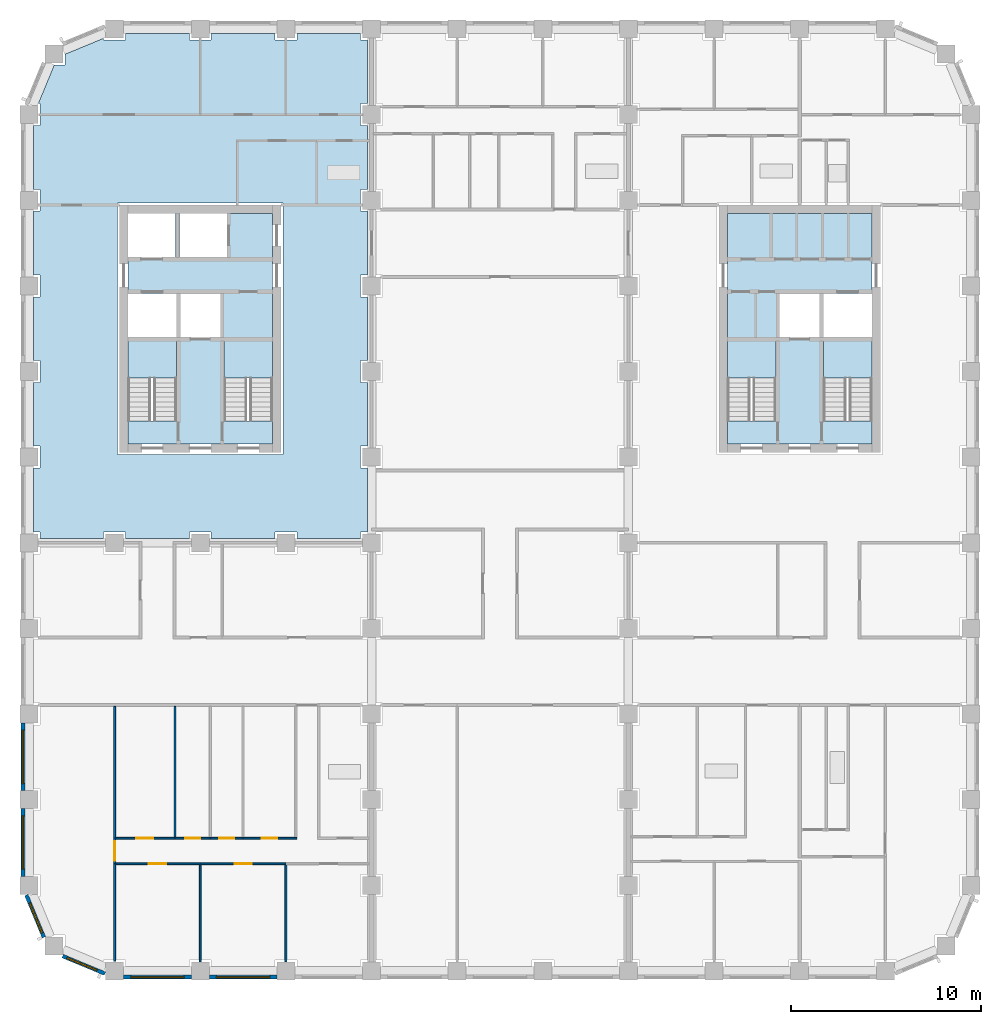
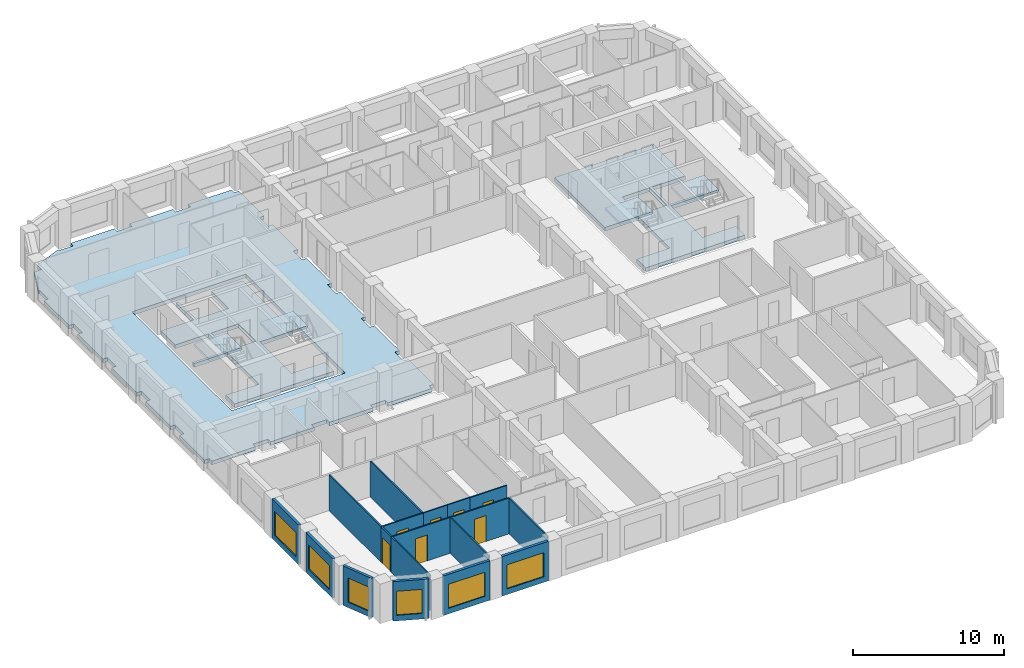
# One storey, part 2 of 13: 18 walls, 7 doors, 7 slabs, 6 windows, 13 openings, 4 elements without a shape of their own.
"""IFC4 building model written with IfcOpenShell, lengths in metres."""

from ifc_helpers import new_model, si_unit, direction, frame, frame_2d, origin, place, context, subcontext, project, spatial, polyline, rectangle, outline, extrude, material, layer, layer_set, type_object, element, fill, aggregate, save


model = new_model("IFC4")

# Units and contexts
model_context = context("Model", 3, precision=1e-05, world=origin(), true_north=direction((0.0, 1.0)))
body_context = subcontext(model_context, "Body", "Model", "MODEL_VIEW")
ifc_project = project(units=[si_unit("LENGTHUNIT", "METRE"), si_unit("AREAUNIT", "SQUARE_METRE"), si_unit("VOLUMEUNIT", "CUBIC_METRE"), si_unit("PLANEANGLEUNIT", "RADIAN"), si_unit("MASSUNIT", "GRAM", prefix="KILO")], contexts=[model_context])

# Site, building, storey
site_placement = place(None, origin())
site = spatial("IfcSite", under=ifc_project, at=site_placement, CompositionType="ELEMENT")
building_placement = place(site_placement, origin())
building = spatial("IfcBuilding", under=site, at=building_placement, Name="Girih Gate Residences", CompositionType="ELEMENT")
storey_placement = place(building_placement, frame((0.0, 0.0, 130.199951171875)))
storey = spatial("IfcBuildingStorey", under=building, at=storey_placement, Name="L36", CompositionType="ELEMENT", Elevation=130.199951171875)

# Slabs
ifc_material_1 = material(Name="Concrete C40/50", Category="concrete")
ifc_layer_1 = layer(ifc_material_1, 0.300048828125)
ifc_layer_set_1 = layer_set([ifc_layer_1], Name="Core floor slab 300")
slab_type_1 = type_object("IfcSlabType", Name="Core floor slab 300", PredefinedType="FLOOR", material=ifc_layer_set_1)
slab_1_placement = place(storey_placement, frame((0.0, 0.0, -0.300048828125)))
element("IfcSlab", 1, at=slab_1_placement, inside=storey, type_object=slab_type_1, Name="L36 W core floor", PredefinedType="FLOOR", context=body_context, shape_type="SweptSolid", body=[
    extrude(outline(polyline([(12.800048828125, 27.699951171875), (5.199951171875, 27.699951171875), (5.199951171875, 28.900634765625), (7.75, 28.900634765625), (7.75, 33.10009765625), (5.199951171875, 33.10009765625), (5.199951171875, 33.300048828125), (7.75, 33.300048828125), (7.75, 35.60009765625), (5.199951171875, 35.60009765625), (5.199951171875, 37.5), (7.699951171875, 37.5), (7.699951171875, 39.800048828125), (7.89990234375, 39.800048828125), (7.89990234375, 37.5), (10.39990234375, 37.5), (10.39990234375, 39.800048828125), (12.800048828125, 39.800048828125), (12.800048828125, 33.10009765625), (10.25, 33.10009765625), (10.25, 28.900634765625), (12.800048828125, 28.900634765625), (12.800048828125, 27.699951171875)]), holes=[polyline([(7.949951171875, 33.300048828125), (10.050048828125, 33.300048828125), (10.050048828125, 35.60009765625), (7.949951171875, 35.60009765625), (7.949951171875, 33.300048828125)])]), origin(), (0.0, 0.0, 1.0), 0.300048828125),
])
slab_2_placement = place(storey_placement, frame((0.0, 0.0, -0.300048828125)))
element("IfcSlab", 2, at=slab_2_placement, inside=storey, type_object=slab_type_1, Name="L36 E core floor", PredefinedType="FLOOR", context=body_context, shape_type="SweptSolid", body=[
    extrude(outline(polyline([(44.300048828125, 27.699951171875), (36.699951171875, 27.699951171875), (36.699951171875, 28.900634765625), (39.25, 28.900634765625), (39.25, 33.10009765625), (36.699951171875, 33.10009765625), (36.699951171875, 39.800048828125), (44.300048828125, 39.800048828125), (44.300048828125, 35.60009765625), (41.75, 35.60009765625), (41.75, 33.300048828125), (44.300048828125, 33.300048828125), (44.300048828125, 33.10009765625), (41.75, 33.10009765625), (41.75, 28.900634765625), (44.300048828125, 28.900634765625), (44.300048828125, 27.699951171875)]), holes=[polyline([(39.449951171875, 33.300048828125), (41.550048828125, 33.300048828125), (41.550048828125, 35.60009765625), (39.449951171875, 35.60009765625), (39.449951171875, 33.300048828125)])]), origin(), (0.0, 0.0, 1.0), 0.300048828125),
])
ifc_layer_2 = layer(ifc_material_1, 0.300048828125)
ifc_layer_set_2 = layer_set([ifc_layer_2], Name="Floor slab PT 300 Concrete C40/50")
slab_type_2 = type_object("IfcSlabType", Name="Floor slab PT 300 Concrete C40/50", PredefinedType="FLOOR", material=ifc_layer_set_2)
slab_3_placement = place(storey_placement, frame((0.0, 0.0, -0.300048828125)))
element("IfcSlab", 3, at=slab_3_placement, inside=storey, type_object=slab_type_2, Name="Floor slab L36 3", PredefinedType="FLOOR", context=body_context, shape_type="SweptSolid", body=[
    extrude(outline(polyline([(0.22509765625, 26.425048828125), (0.22509765625, 23.074951171875), (0.574951171875, 23.074951171875), (0.574951171875, 22.72509765625), (3.925048828125, 22.72509765625), (3.925048828125, 23.074951171875), (5.074951171875, 23.074951171875), (5.074951171875, 22.72509765625), (8.425048828125, 22.72509765625), (8.425048828125, 23.074951171875), (9.574951171875, 23.074951171875), (9.574951171875, 22.72509765625), (12.925048828125, 22.72509765625), (12.925048828125, 23.074951171875), (14.074951171875, 23.074951171875), (14.074951171875, 22.72509765625), (17.425048828125, 22.72509765625), (17.425048828125, 23.074951171875), (17.77490234375, 23.074951171875), (17.77490234375, 26.425048828125), (17.425048828125, 26.425048828125), (17.425048828125, 27.574951171875), (17.77490234375, 27.574951171875), (17.77490234375, 30.925048828125), (17.425048828125, 30.925048828125), (17.425048828125, 32.074951171875), (17.77490234375, 32.074951171875), (17.77490234375, 35.425048828125), (17.425048828125, 35.425048828125), (17.425048828125, 36.574951171875), (17.77490234375, 36.574951171875), (17.77490234375, 39.925048828125), (17.425048828125, 39.925048828125), (17.425048828125, 41.074951171875), (17.77490234375, 41.074951171875), (17.77490234375, 44.425048828125), (17.425048828125, 44.425048828125), (17.425048828125, 45.574951171875), (17.77490234375, 45.574951171875), (17.77490234375, 48.925048828125), (17.425048828125, 48.925048828125), (17.425048828125, 49.27490234375), (14.074951171875, 49.27490234375), (14.074951171875, 48.925048828125), (12.925048828125, 48.925048828125), (12.925048828125, 49.27490234375), (9.574951171875, 49.27490234375), (9.574951171875, 48.925048828125), (8.425048828125, 48.925048828125), (8.425048828125, 49.27490234375), (5.074951171875, 49.27490234375), (5.074951171875, 48.925048828125), (3.925048828125, 48.925048828125), (3.925048828125, 49.018310546875), (1.89306640625, 48.176513671875), (1.89306640625, 47.60693359375), (1.323486328125, 47.60693359375), (0.481689453125, 45.574951171875), (0.574951171875, 45.574951171875), (0.574951171875, 44.425048828125), (0.22509765625, 44.425048828125), (0.22509765625, 41.074951171875), (0.574951171875, 41.074951171875), (0.574951171875, 39.925048828125), (0.22509765625, 39.925048828125), (0.22509765625, 36.574951171875), (0.574951171875, 36.574951171875), (0.574951171875, 35.425048828125), (0.22509765625, 35.425048828125), (0.22509765625, 32.074951171875), (0.574951171875, 32.074951171875), (0.574951171875, 30.925048828125), (0.22509765625, 30.925048828125), (0.22509765625, 27.574951171875), (0.574951171875, 27.574951171875), (0.574951171875, 26.425048828125), (0.22509765625, 26.425048828125)]), holes=[polyline([(13.35009765625, 40.35009765625), (13.35009765625, 27.14990234375), (4.64990234375, 27.14990234375), (4.64990234375, 40.35009765625), (13.35009765625, 40.35009765625)])]), origin(), (0.0, 0.0, 1.0), 0.300048828125),
])

# Stair, slab
stair_type = type_object("IfcStairType", Name="Exit stair", PredefinedType="HALF_TURN_STAIR", material=ifc_material_1)
stair_1_placement = place(storey_placement, origin())
stair_1 = element("IfcStair", 4, at=stair_1_placement, inside=storey, type_object=stair_type, Name="L36 Exit Stair ST-W1", PredefinedType="HALF_TURN_STAIR")
ifc_layer_3 = layer(ifc_material_1, 0.199951171875)
ifc_layer_set_3 = layer_set([ifc_layer_3], Name="Stair landing 200")
slab_type_3 = type_object("IfcSlabType", Name="Stair landing 200", PredefinedType="LANDING", material=ifc_layer_set_3)
slab_4_placement = place(storey_placement, frame((0.0, 0.0, 1.400146484375)))
slab_4 = element("IfcSlab", 5, at=slab_4_placement, type_object=slab_type_3, Name="ST-W1 landing 1", PredefinedType="LANDING", context=body_context, shape_type="SweptSolid", body=[
    extrude(outline(polyline([(7.75, 31.14990234375), (7.75, 33.10009765625), (5.199951171875, 33.10009765625), (5.199951171875, 31.14990234375), (7.75, 31.14990234375)])), origin(), (0.0, 0.0, 1.0), 0.199951171875),
])
aggregate(stair_1, [slab_4])

stair_2_placement = place(storey_placement, origin())
stair_2 = element("IfcStair", 6, at=stair_2_placement, inside=storey, type_object=stair_type, Name="L36 Exit Stair ST-W2", PredefinedType="HALF_TURN_STAIR")
slab_5_placement = place(storey_placement, frame((0.0, 0.0, 1.400146484375)))
slab_5 = element("IfcSlab", 7, at=slab_5_placement, type_object=slab_type_3, Name="ST-W2 landing 1", PredefinedType="LANDING", context=body_context, shape_type="SweptSolid", body=[
    extrude(outline(polyline([(12.800048828125, 31.14990234375), (12.800048828125, 33.10009765625), (10.25, 33.10009765625), (10.25, 31.14990234375), (12.800048828125, 31.14990234375)])), origin(), (0.0, 0.0, 1.0), 0.199951171875),
])
aggregate(stair_2, [slab_5])

stair_3_placement = place(storey_placement, origin())
stair_3 = element("IfcStair", 8, at=stair_3_placement, inside=storey, type_object=stair_type, Name="L36 Exit Stair ST-E1", PredefinedType="HALF_TURN_STAIR")
slab_6_placement = place(storey_placement, frame((0.0, 0.0, 1.400146484375)))
slab_6 = element("IfcSlab", 9, at=slab_6_placement, type_object=slab_type_3, Name="ST-E1 landing 1", PredefinedType="LANDING", context=body_context, shape_type="SweptSolid", body=[
    extrude(outline(polyline([(44.300048828125, 31.14990234375), (44.300048828125, 33.10009765625), (41.75, 33.10009765625), (41.75, 31.14990234375), (44.300048828125, 31.14990234375)])), origin(), (0.0, 0.0, 1.0), 0.199951171875),
])
aggregate(stair_3, [slab_6])

stair_4_placement = place(storey_placement, origin())
stair_4 = element("IfcStair", 10, at=stair_4_placement, inside=storey, type_object=stair_type, Name="L36 Exit Stair ST-E2", PredefinedType="HALF_TURN_STAIR")
slab_7_placement = place(storey_placement, frame((0.0, 0.0, 1.400146484375)))
slab_7 = element("IfcSlab", 11, at=slab_7_placement, type_object=slab_type_3, Name="ST-E2 landing 1", PredefinedType="LANDING", context=body_context, shape_type="SweptSolid", body=[
    extrude(outline(polyline([(39.25, 31.14990234375), (39.25, 33.10009765625), (36.699951171875, 33.10009765625), (36.699951171875, 31.14990234375), (39.25, 31.14990234375)])), origin(), (0.0, 0.0, 1.0), 0.199951171875),
])
aggregate(stair_4, [slab_7])

# Wall
ifc_material_2 = material(Name="Gypsum board on steel studs", Category="steel")
ifc_layer_4 = layer(ifc_material_2, 0.10009765625)
ifc_layer_set_4 = layer_set([ifc_layer_4], Name="Partition 100 mm")
wall_type_1 = type_object("IfcWallType", Name="Partition 100 mm", PredefinedType="PARTITIONING", material=ifc_layer_set_4)
wall_1_placement = place(storey_placement, frame((9.0, 0.47509765625, 0.0), z_axis=(0.0, 0.0, 1.0), x_axis=(0.0, 1.0, 0.0)))
element("IfcWall", 12, at=wall_1_placement, inside=storey, type_object=wall_type_1, Name="L36 partition", PredefinedType="PARTITIONING", context=body_context, shape_type="SweptSolid", body=[
    extrude(rectangle(XDim=5.10986328125, YDim=0.10009765625, at=frame_2d((2.554931640625, 0.0))), origin(), (0.0, 0.0, 1.0), 2.900146484375),
])

# Wall, opening, door
wall_2_placement = place(storey_placement, frame((9.0, 5.635009765625, 0.0), z_axis=(0.0, 0.0, 1.0), x_axis=(-1.0, 0.0, 0.0)))
wall_2 = element("IfcWall", 13, at=wall_2_placement, inside=storey, type_object=wall_type_1, Name="L36 partition", PredefinedType="PARTITIONING", context=body_context, shape_type="SweptSolid", body=[
    extrude(rectangle(XDim=4.449951171875, YDim=0.10009765625, at=frame_2d((2.22509765625, 0.0))), origin(), (0.0, 0.0, 1.0), 2.900146484375),
])
opening_1_placement = place(wall_2_placement, frame((1.800048828125, 0.0, 0.0)))
opening_1 = element("IfcOpeningElement", 14, at=opening_1_placement, cuts=wall_2, Name="Opening A36-002", PredefinedType="OPENING", context=body_context, shape_type="SweptSolid", body=[
    extrude(rectangle(XDim=0.89990234375, YDim=2.10009765625, at=frame_2d((0.449951171875, 1.050048828125))), frame((0.0, 0.06005859375, 0.0), z_axis=(0.0, -1.0, 0.0), x_axis=(1.0, 0.0, 0.0)), (0.0, 0.0, 1.0), 0.1201171875),
])
ifc_material_3 = material(Name="Timber", Category="wood")
door_type_1 = type_object("IfcDoorType", Name="Bedroom door 900x2100", OperationType="NOTDEFINED", PredefinedType="DOOR", material=ifc_material_3)
door_1_placement = place(opening_1_placement, origin())
door_1 = element("IfcDoor", 15, at=door_1_placement, inside=storey, type_object=door_type_1, Name="Door A36-002", OperationType="SINGLE_SWING_RIGHT", OverallHeight=2.10009765625, OverallWidth=0.89990234375, PredefinedType="DOOR", context=body_context, shape_type="SweptSolid", body=[
    extrude(rectangle(XDim=0.89990234375, YDim=2.10009765625, at=frame_2d((0.449951171875, 1.050048828125))), frame((0.0, 0.02490234375, 0.0), z_axis=(0.0, -1.0, 0.0), x_axis=(1.0, 0.0, 0.0)), (0.0, 0.0, 1.0), 0.050048828125),
])
fill(opening_1, door_1)

# Walls
wall_3_placement = place(storey_placement, frame((4.5, 0.51416015625, 0.0), z_axis=(0.0, 0.0, 1.0), x_axis=(0.0, 1.0, 0.0)))
element("IfcWall", 16, at=wall_3_placement, inside=storey, type_object=wall_type_1, Name="L36 partition", PredefinedType="PARTITIONING", context=body_context, shape_type="SweptSolid", body=[
    extrude(rectangle(XDim=5.120849609375, YDim=0.10009765625, at=frame_2d((2.560546875, 0.0))), origin(), (0.0, 0.0, 1.0), 2.900146484375),
])
wall_4_placement = place(storey_placement, frame((13.5, 0.47509765625, 0.0), z_axis=(0.0, 0.0, 1.0), x_axis=(0.0, 1.0, 0.0)))
element("IfcWall", 17, at=wall_4_placement, inside=storey, type_object=wall_type_1, Name="L36 partition", PredefinedType="PARTITIONING", context=body_context, shape_type="SweptSolid", body=[
    extrude(rectangle(XDim=5.10986328125, YDim=0.10009765625, at=frame_2d((2.554931640625, 0.0))), origin(), (0.0, 0.0, 1.0), 2.900146484375),
])

# Wall, opening, door
wall_5_placement = place(storey_placement, frame((13.5, 5.635009765625, 0.0), z_axis=(0.0, 0.0, 1.0), x_axis=(-1.0, 0.0, 0.0)))
wall_5 = element("IfcWall", 18, at=wall_5_placement, inside=storey, type_object=wall_type_1, Name="L36 partition", PredefinedType="PARTITIONING", context=body_context, shape_type="SweptSolid", body=[
    extrude(rectangle(XDim=4.5, YDim=0.10009765625, at=frame_2d((2.25, 0.0))), origin(), (0.0, 0.0, 1.0), 2.900146484375),
])
opening_2_placement = place(wall_5_placement, frame((1.800048828125, 0.0, 0.0)))
opening_2 = element("IfcOpeningElement", 19, at=opening_2_placement, cuts=wall_5, Name="Opening A36-003", PredefinedType="OPENING", context=body_context, shape_type="SweptSolid", body=[
    extrude(rectangle(XDim=0.89990234375, YDim=2.10009765625, at=frame_2d((0.449951171875, 1.050048828125))), frame((0.0, 0.06005859375, 0.0), z_axis=(0.0, -1.0, 0.0), x_axis=(1.0, 0.0, 0.0)), (0.0, 0.0, 1.0), 0.1201171875),
])
door_2_placement = place(opening_2_placement, origin())
door_2 = element("IfcDoor", 20, at=door_2_placement, inside=storey, type_object=door_type_1, Name="Door A36-003", OperationType="SINGLE_SWING_LEFT", OverallHeight=2.10009765625, OverallWidth=0.89990234375, PredefinedType="DOOR", context=body_context, shape_type="SweptSolid", body=[
    extrude(rectangle(XDim=0.89990234375, YDim=2.10009765625, at=frame_2d((0.449951171875, 1.050048828125))), frame((0.0, 0.02490234375, 0.0), z_axis=(0.0, -1.0, 0.0), x_axis=(1.0, 0.0, 0.0)), (0.0, 0.0, 1.0), 0.050048828125),
])
fill(opening_2, door_2)

wall_6_placement = place(storey_placement, frame((11.24560546875, 6.97509765625, 0.0), z_axis=(0.0, 0.0, 1.0), x_axis=(1.0, 0.0, 0.0)))
wall_6 = element("IfcWall", 21, at=wall_6_placement, inside=storey, type_object=wall_type_1, Name="L36 partition", PredefinedType="PARTITIONING", context=body_context, shape_type="SweptSolid", body=[
    extrude(rectangle(XDim=2.829345703125, YDim=0.10009765625, at=frame_2d((1.41455078125, 0.0))), origin(), (0.0, 0.0, 1.0), 2.900146484375),
])
opening_3_placement = place(wall_6_placement, frame((0.98974609375, 0.0, 0.0)))
opening_3 = element("IfcOpeningElement", 22, at=opening_3_placement, cuts=wall_6, Name="Opening A36-005", PredefinedType="OPENING", context=body_context, shape_type="SweptSolid", body=[
    extrude(rectangle(XDim=0.800048828125, YDim=2.10009765625, at=frame_2d((0.39990234375, 1.050048828125))), frame((0.0, 0.06005859375, 0.0), z_axis=(0.0, -1.0, 0.0), x_axis=(1.0, 0.0, 0.0)), (0.0, 0.0, 1.0), 0.1201171875),
])
door_type_2 = type_object("IfcDoorType", Name="Store door 800x2100", OperationType="NOTDEFINED", PredefinedType="DOOR", material=ifc_material_3)
door_3_placement = place(opening_3_placement, origin())
door_3 = element("IfcDoor", 23, at=door_3_placement, inside=storey, type_object=door_type_2, Name="Door A36-005", OperationType="SINGLE_SWING_LEFT", OverallHeight=2.10009765625, OverallWidth=0.800048828125, PredefinedType="DOOR", context=body_context, shape_type="SweptSolid", body=[
    extrude(rectangle(XDim=0.800048828125, YDim=2.10009765625, at=frame_2d((0.39990234375, 1.050048828125))), frame((0.0, 0.02490234375, 0.0), z_axis=(0.0, -1.0, 0.0), x_axis=(1.0, 0.0, 0.0)), (0.0, 0.0, 1.0), 0.050048828125),
])
fill(opening_3, door_3)

wall_7_placement = place(storey_placement, frame((4.550048828125, 6.97509765625, 0.0), z_axis=(0.0, 0.0, 1.0), x_axis=(1.0, 0.0, 0.0)))
wall_7 = element("IfcWall", 24, at=wall_7_placement, inside=storey, type_object=wall_type_1, Name="L36 partition", PredefinedType="PARTITIONING", context=body_context, shape_type="SweptSolid", body=[
    extrude(rectangle(XDim=3.120361328125, YDim=0.10009765625, at=frame_2d((1.56005859375, 0.0))), origin(), (0.0, 0.0, 1.0), 2.900146484375),
])
opening_4_placement = place(wall_7_placement, frame((1.085205078125, 0.0, 0.0)))
opening_4 = element("IfcOpeningElement", 25, at=opening_4_placement, cuts=wall_7, Name="Opening A36-006", PredefinedType="OPENING", context=body_context, shape_type="SweptSolid", body=[
    extrude(rectangle(XDim=0.89990234375, YDim=2.10009765625, at=frame_2d((0.449951171875, 1.050048828125))), frame((0.0, 0.06005859375, 0.0), z_axis=(0.0, -1.0, 0.0), x_axis=(1.0, 0.0, 0.0)), (0.0, 0.0, 1.0), 0.1201171875),
])
door_type_3 = type_object("IfcDoorType", Name="Kitchen door 900x2100", OperationType="NOTDEFINED", PredefinedType="DOOR", material=ifc_material_3)
door_4_placement = place(opening_4_placement, origin())
door_4 = element("IfcDoor", 26, at=door_4_placement, inside=storey, type_object=door_type_3, Name="Door A36-006", OperationType="SINGLE_SWING_LEFT", OverallHeight=2.10009765625, OverallWidth=0.89990234375, PredefinedType="DOOR", context=body_context, shape_type="SweptSolid", body=[
    extrude(rectangle(XDim=0.89990234375, YDim=2.10009765625, at=frame_2d((0.449951171875, 1.050048828125))), frame((0.0, 0.02490234375, 0.0), z_axis=(0.0, -1.0, 0.0), x_axis=(1.0, 0.0, 0.0)), (0.0, 0.0, 1.0), 0.050048828125),
])
fill(opening_4, door_4)

wall_8_placement = place(storey_placement, frame((4.5, 5.635009765625, 0.0), z_axis=(0.0, 0.0, 1.0), x_axis=(0.0, 1.0, 0.0)))
wall_8 = element("IfcWall", 27, at=wall_8_placement, inside=storey, type_object=wall_type_1, Name="L36 partition", PredefinedType="PARTITIONING", context=body_context, shape_type="SweptSolid", body=[
    extrude(rectangle(XDim=1.340087890625, YDim=0.10009765625, at=frame_2d((0.669921875, 0.0))), origin(), (0.0, 0.0, 1.0), 2.900146484375),
])
opening_5_placement = place(wall_8_placement, frame((0.169921875, 0.0, 0.0)))
opening_5 = element("IfcOpeningElement", 28, at=opening_5_placement, cuts=wall_8, Name="Opening A36-007", PredefinedType="OPENING", context=body_context, shape_type="SweptSolid", body=[
    extrude(rectangle(XDim=1.0, YDim=2.10009765625, at=frame_2d((0.5, 1.050048828125))), frame((0.0, 0.06005859375, 0.0), z_axis=(0.0, -1.0, 0.0), x_axis=(1.0, 0.0, 0.0)), (0.0, 0.0, 1.0), 0.1201171875),
])
door_type_4 = type_object("IfcDoorType", Name="Living room door 1000x2100", OperationType="NOTDEFINED", PredefinedType="DOOR", material=ifc_material_3)
door_5_placement = place(opening_5_placement, origin())
door_5 = element("IfcDoor", 29, at=door_5_placement, inside=storey, type_object=door_type_4, Name="Door A36-007", OperationType="SINGLE_SWING_RIGHT", OverallHeight=2.10009765625, OverallWidth=1.0, PredefinedType="DOOR", context=body_context, shape_type="SweptSolid", body=[
    extrude(rectangle(XDim=1.0, YDim=2.10009765625, at=frame_2d((0.5, 1.050048828125))), frame((0.0, 0.02490234375, 0.0), z_axis=(0.0, -1.0, 0.0), x_axis=(1.0, 0.0, 0.0)), (0.0, 0.0, 1.0), 0.050048828125),
])
fill(opening_5, door_5)

wall_9_placement = place(storey_placement, frame((9.5322265625, 6.97509765625, 0.0), z_axis=(0.0, 0.0, 1.0), x_axis=(1.0, 0.0, 0.0)))
wall_9 = element("IfcWall", 30, at=wall_9_placement, inside=storey, type_object=wall_type_1, Name="L36 partition", PredefinedType="PARTITIONING", context=body_context, shape_type="SweptSolid", body=[
    extrude(rectangle(XDim=1.71337890625, YDim=0.10009765625, at=frame_2d((0.856689453125, 0.0))), origin(), (0.0, 0.0, 1.0), 2.900146484375),
])
opening_6_placement = place(wall_9_placement, frame((0.456787109375, 0.0, 0.0)))
opening_6 = element("IfcOpeningElement", 31, at=opening_6_placement, cuts=wall_9, Name="Opening A36-008", PredefinedType="OPENING", context=body_context, shape_type="SweptSolid", body=[
    extrude(rectangle(XDim=0.800048828125, YDim=2.10009765625, at=frame_2d((0.39990234375, 1.050048828125))), frame((0.0, 0.06005859375, 0.0), z_axis=(0.0, -1.0, 0.0), x_axis=(1.0, 0.0, 0.0)), (0.0, 0.0, 1.0), 0.1201171875),
])
door_6_placement = place(opening_6_placement, origin())
door_6 = element("IfcDoor", 32, at=door_6_placement, inside=storey, type_object=door_type_2, Name="Door A36-008", OperationType="SINGLE_SWING_RIGHT", OverallHeight=2.10009765625, OverallWidth=0.800048828125, PredefinedType="DOOR", context=body_context, shape_type="SweptSolid", body=[
    extrude(rectangle(XDim=0.800048828125, YDim=2.10009765625, at=frame_2d((0.39990234375, 1.050048828125))), frame((0.0, 0.02490234375, 0.0), z_axis=(0.0, -1.0, 0.0), x_axis=(1.0, 0.0, 0.0)), (0.0, 0.0, 1.0), 0.050048828125),
])
fill(opening_6, door_6)

wall_10_placement = place(storey_placement, frame((7.67041015625, 6.97509765625, 0.0), z_axis=(0.0, 0.0, 1.0), x_axis=(1.0, 0.0, 0.0)))
wall_10 = element("IfcWall", 33, at=wall_10_placement, inside=storey, type_object=wall_type_1, Name="L36 partition", PredefinedType="PARTITIONING", context=body_context, shape_type="SweptSolid", body=[
    extrude(rectangle(XDim=1.86181640625, YDim=0.10009765625, at=frame_2d((0.930908203125, 0.0))), origin(), (0.0, 0.0, 1.0), 2.900146484375),
])
opening_7_placement = place(wall_10_placement, frame((0.531005859375, 0.0, 0.0)))
opening_7 = element("IfcOpeningElement", 34, at=opening_7_placement, cuts=wall_10, Name="Opening A36-009", PredefinedType="OPENING", context=body_context, shape_type="SweptSolid", body=[
    extrude(rectangle(XDim=0.800048828125, YDim=2.10009765625, at=frame_2d((0.39990234375, 1.050048828125))), frame((0.0, 0.06005859375, 0.0), z_axis=(0.0, -1.0, 0.0), x_axis=(1.0, 0.0, 0.0)), (0.0, 0.0, 1.0), 0.1201171875),
])
door_7_placement = place(opening_7_placement, origin())
door_7 = element("IfcDoor", 35, at=door_7_placement, inside=storey, type_object=door_type_2, Name="Door A36-009", OperationType="SINGLE_SWING_LEFT", OverallHeight=2.10009765625, OverallWidth=0.800048828125, PredefinedType="DOOR", context=body_context, shape_type="SweptSolid", body=[
    extrude(rectangle(XDim=0.800048828125, YDim=2.10009765625, at=frame_2d((0.39990234375, 1.050048828125))), frame((0.0, 0.02490234375, 0.0), z_axis=(0.0, -1.0, 0.0), x_axis=(1.0, 0.0, 0.0)), (0.0, 0.0, 1.0), 0.050048828125),
])
fill(opening_7, door_7)

# Walls
wall_11_placement = place(storey_placement, frame((4.5, 6.97509765625, 0.0), z_axis=(0.0, 0.0, 1.0), x_axis=(0.0, 1.0, 0.0)))
element("IfcWall", 36, at=wall_11_placement, inside=storey, type_object=wall_type_1, Name="L36 partition", PredefinedType="PARTITIONING", context=body_context, shape_type="SweptSolid", body=[
    extrude(rectangle(XDim=6.9248046875, YDim=0.10009765625, at=frame_2d((3.46240234375, 0.0))), origin(), (0.0, 0.0, 1.0), 2.900146484375),
])
wall_12_placement = place(storey_placement, frame((7.669921875, 7.02490234375, 0.0), z_axis=(0.0, 0.0, 1.0), x_axis=(0.0, 1.0, 0.0)))
element("IfcWall", 37, at=wall_12_placement, inside=storey, type_object=wall_type_1, Name="L36 partition", PredefinedType="PARTITIONING", context=body_context, shape_type="SweptSolid", body=[
    extrude(rectangle(XDim=6.875, YDim=0.10009765625, at=frame_2d((3.4375, 0.0))), origin(), (0.0, 0.0, 1.0), 2.900146484375),
])

# Wall, opening, window
ifc_material_4 = material(Name="Precast concrete C50/60", Category="concrete")
ifc_layer_5 = layer(ifc_material_4, 0.06005859375, Name="Outer leaf")
ifc_material_5 = material(Name="Rigid PIR insulation")
ifc_layer_6 = layer(ifc_material_5, 0.090087890625, Name="Insulation")
ifc_material_6 = material(Name="Precast concrete C40/50", Category="concrete")
ifc_layer_7 = layer(ifc_material_6, 0.050048828125, Name="Inner leaf")
ifc_layer_set_5 = layer_set([ifc_layer_5, ifc_layer_6, ifc_layer_7], Name="Precast concrete C50/60 external wall 200")
wall_type_2 = type_object("IfcWallType", Name="Precast concrete C50/60 external wall 200", PredefinedType="SOLIDWALL", material=ifc_layer_set_5)
wall_13_placement = place(storey_placement, frame((0.7802734375, 1.76708984375, 0.0), z_axis=(0.0, 0.0, 1.0), x_axis=(-0.382680855588, 0.923880599843, 0.0)))
wall_13 = element("IfcWall", 38, at=wall_13_placement, inside=storey, type_object=wall_type_2, Name="External wall SW0000_0045.0", PredefinedType="SOLIDWALL", context=body_context, shape_type="SweptSolid", body=[
    extrude(rectangle(XDim=2.402587890625, YDim=0.199951171875, at=frame_2d((1.201171875, 0.0))), origin(), (0.0, 0.0, 1.0), 3.199951171875),
])
opening_8_placement = place(wall_13_placement, frame((0.25146484375, 0.0, 0.449951171875)))
opening_8 = element("IfcOpeningElement", 39, at=opening_8_placement, cuts=wall_13, Name="Opening W-2E", PredefinedType="OPENING", context=body_context, shape_type="SweptSolid", body=[
    extrude(rectangle(XDim=1.699951171875, YDim=1.949951171875, at=frame_2d((0.85009765625, 0.97509765625))), frame((0.0, 0.10986328125, 0.0), z_axis=(0.0, -1.0, 0.0), x_axis=(1.0, 0.0, 0.0)), (0.0, 0.0, 1.0), 0.219970703125),
])
ifc_material_7 = material(Name="Double glazing in aluminium frame", Category="aluminium")
window_type_1 = type_object("IfcWindowType", Name="Window W-2E 1700x1950", PartitioningType="SINGLE_PANEL", PredefinedType="WINDOW", material=ifc_material_7)
window_1_placement = place(opening_8_placement, origin())
window_1 = element("IfcWindow", 40, at=window_1_placement, inside=storey, type_object=window_type_1, Name="Window W-2E SW0000_0045.0", OverallHeight=1.949951171875, OverallWidth=1.699951171875, PartitioningType="SINGLE_PANEL", PredefinedType="WINDOW", context=body_context, shape_type="SweptSolid", body=[
    extrude(rectangle(XDim=1.699951171875, YDim=1.949951171875, at=frame_2d((0.85009765625, 0.97509765625))), frame((0.0, 0.030029296875, 0.0), z_axis=(0.0, -1.0, 0.0), x_axis=(1.0, 0.0, 0.0)), (0.0, 0.0, 1.0), 0.06005859375),
])
fill(opening_8, window_1)

wall_14_placement = place(storey_placement, frame((3.98681640625, -0.13916015625, 0.0), z_axis=(0.0, 0.0, 1.0), x_axis=(-0.923880599843, 0.382680855588, 0.0)))
wall_14 = element("IfcWall", 41, at=wall_14_placement, inside=storey, type_object=wall_type_2, Name="External wall SW0013_0013.0", PredefinedType="SOLIDWALL", context=body_context, shape_type="SweptSolid", body=[
    extrude(rectangle(XDim=2.402587890625, YDim=0.199951171875, at=frame_2d((1.201171875, 0.0))), origin(), (0.0, 0.0, 1.0), 3.199951171875),
])
opening_9_placement = place(wall_14_placement, frame((0.451171875, 0.0, 0.449951171875)))
opening_9 = element("IfcOpeningElement", 42, at=opening_9_placement, cuts=wall_14, Name="Opening W-2E", PredefinedType="OPENING", context=body_context, shape_type="SweptSolid", body=[
    extrude(rectangle(XDim=1.699951171875, YDim=1.949951171875, at=frame_2d((0.85009765625, 0.97509765625))), frame((0.0, 0.10986328125, 0.0), z_axis=(0.0, -1.0, 0.0), x_axis=(1.0, 0.0, 0.0)), (0.0, 0.0, 1.0), 0.219970703125),
])
window_2_placement = place(opening_9_placement, origin())
window_2 = element("IfcWindow", 43, at=window_2_placement, inside=storey, type_object=window_type_1, Name="Window W-2E SW0013_0013.0", OverallHeight=1.949951171875, OverallWidth=1.699951171875, PartitioningType="SINGLE_PANEL", PredefinedType="WINDOW", context=body_context, shape_type="SweptSolid", body=[
    extrude(rectangle(XDim=1.699951171875, YDim=1.949951171875, at=frame_2d((0.85009765625, 0.97509765625))), frame((0.0, 0.030029296875, 0.0), z_axis=(0.0, -1.0, 0.0), x_axis=(1.0, 0.0, 0.0)), (0.0, 0.0, 1.0), 0.06005859375),
])
fill(opening_9, window_2)

wall_15_placement = place(storey_placement, frame((8.52490234375, -0.324951171875, 0.0), z_axis=(0.0, 0.0, 1.0), x_axis=(-1.0, 0.0, 0.0)))
wall_15 = element("IfcWall", 44, at=wall_15_placement, inside=storey, type_object=wall_type_2, Name="External wall S0045_0000.0", PredefinedType="SOLIDWALL", context=body_context, shape_type="SweptSolid", body=[
    extrude(rectangle(XDim=3.5498046875, YDim=0.199951171875, at=frame_2d((1.77490234375, 0.0))), origin(), (0.0, 0.0, 1.0), 3.199951171875),
])
opening_10_placement = place(wall_15_placement, frame((0.375, 0.0, 0.449951171875)))
opening_10 = element("IfcOpeningElement", 45, at=opening_10_placement, cuts=wall_15, Name="Opening W-1B", PredefinedType="OPENING", context=body_context, shape_type="SweptSolid", body=[
    extrude(rectangle(XDim=2.800048828125, YDim=1.949951171875, at=frame_2d((1.39990234375, 0.97509765625))), frame((0.0, 0.10986328125, 0.0), z_axis=(0.0, -1.0, 0.0), x_axis=(1.0, 0.0, 0.0)), (0.0, 0.0, 1.0), 0.219970703125),
])
window_type_2 = type_object("IfcWindowType", Name="Window W-1B 2800x1950", PartitioningType="SINGLE_PANEL", PredefinedType="WINDOW", material=ifc_material_7)
window_3_placement = place(opening_10_placement, origin())
window_3 = element("IfcWindow", 46, at=window_3_placement, inside=storey, type_object=window_type_2, Name="Window W-1B S0045_0000.0", OverallHeight=1.949951171875, OverallWidth=2.800048828125, PartitioningType="SINGLE_PANEL", PredefinedType="WINDOW", context=body_context, shape_type="SweptSolid", body=[
    extrude(rectangle(XDim=2.800048828125, YDim=1.949951171875, at=frame_2d((1.39990234375, 0.97509765625))), frame((0.0, 0.030029296875, 0.0), z_axis=(0.0, -1.0, 0.0), x_axis=(1.0, 0.0, 0.0)), (0.0, 0.0, 1.0), 0.06005859375),
])
fill(opening_10, window_3)

wall_16_placement = place(storey_placement, frame((13.02490234375, -0.324951171875, 0.0), z_axis=(0.0, 0.0, 1.0), x_axis=(-1.0, 0.0, 0.0)))
wall_16 = element("IfcWall", 47, at=wall_16_placement, inside=storey, type_object=wall_type_2, Name="External wall S0045_0000.1", PredefinedType="SOLIDWALL", context=body_context, shape_type="SweptSolid", body=[
    extrude(rectangle(XDim=3.5498046875, YDim=0.199951171875, at=frame_2d((1.77490234375, 0.0))), origin(), (0.0, 0.0, 1.0), 3.199951171875),
])
opening_11_placement = place(wall_16_placement, frame((0.375, 0.0, 0.449951171875)))
opening_11 = element("IfcOpeningElement", 48, at=opening_11_placement, cuts=wall_16, Name="Opening W-1B", PredefinedType="OPENING", context=body_context, shape_type="SweptSolid", body=[
    extrude(rectangle(XDim=2.800048828125, YDim=1.949951171875, at=frame_2d((1.39990234375, 0.97509765625))), frame((0.0, 0.10986328125, 0.0), z_axis=(0.0, -1.0, 0.0), x_axis=(1.0, 0.0, 0.0)), (0.0, 0.0, 1.0), 0.219970703125),
])
window_4_placement = place(opening_11_placement, origin())
window_4 = element("IfcWindow", 49, at=window_4_placement, inside=storey, type_object=window_type_2, Name="Window W-1B S0045_0000.1", OverallHeight=1.949951171875, OverallWidth=2.800048828125, PartitioningType="SINGLE_PANEL", PredefinedType="WINDOW", context=body_context, shape_type="SweptSolid", body=[
    extrude(rectangle(XDim=2.800048828125, YDim=1.949951171875, at=frame_2d((1.39990234375, 0.97509765625))), frame((0.0, 0.030029296875, 0.0), z_axis=(0.0, -1.0, 0.0), x_axis=(1.0, 0.0, 0.0)), (0.0, 0.0, 1.0), 0.06005859375),
])
fill(opening_11, window_4)

wall_17_placement = place(storey_placement, frame((-0.324951171875, 9.47509765625, 0.0), z_axis=(0.0, 0.0, 1.0), x_axis=(0.0, 1.0, 0.0)))
wall_17 = element("IfcWall", 50, at=wall_17_placement, inside=storey, type_object=wall_type_2, Name="External wall W0000_0450.7", PredefinedType="SOLIDWALL", context=body_context, shape_type="SweptSolid", body=[
    extrude(rectangle(XDim=3.5498046875, YDim=0.199951171875, at=frame_2d((1.77490234375, 0.0))), origin(), (0.0, 0.0, 1.0), 3.199951171875),
])
opening_12_placement = place(wall_17_placement, frame((0.375, 0.0, 0.449951171875)))
opening_12 = element("IfcOpeningElement", 51, at=opening_12_placement, cuts=wall_17, Name="Opening W-1B", PredefinedType="OPENING", context=body_context, shape_type="SweptSolid", body=[
    extrude(rectangle(XDim=2.800048828125, YDim=1.949951171875, at=frame_2d((1.39990234375, 0.97509765625))), frame((0.0, 0.10986328125, 0.0), z_axis=(0.0, -1.0, 0.0), x_axis=(1.0, 0.0, 0.0)), (0.0, 0.0, 1.0), 0.219970703125),
])
window_5_placement = place(opening_12_placement, origin())
window_5 = element("IfcWindow", 52, at=window_5_placement, inside=storey, type_object=window_type_2, Name="Window W-1B W0000_0450.7", OverallHeight=1.949951171875, OverallWidth=2.800048828125, PartitioningType="SINGLE_PANEL", PredefinedType="WINDOW", context=body_context, shape_type="SweptSolid", body=[
    extrude(rectangle(XDim=2.800048828125, YDim=1.949951171875, at=frame_2d((1.39990234375, 0.97509765625))), frame((0.0, 0.030029296875, 0.0), z_axis=(0.0, -1.0, 0.0), x_axis=(1.0, 0.0, 0.0)), (0.0, 0.0, 1.0), 0.06005859375),
])
fill(opening_12, window_5)

wall_18_placement = place(storey_placement, frame((-0.324951171875, 4.97509765625, 0.0), z_axis=(0.0, 0.0, 1.0), x_axis=(0.0, 1.0, 0.0)))
wall_18 = element("IfcWall", 53, at=wall_18_placement, inside=storey, type_object=wall_type_2, Name="External wall W0000_0450.8", PredefinedType="SOLIDWALL", context=body_context, shape_type="SweptSolid", body=[
    extrude(rectangle(XDim=3.5498046875, YDim=0.199951171875, at=frame_2d((1.77490234375, 0.0))), origin(), (0.0, 0.0, 1.0), 3.199951171875),
])
opening_13_placement = place(wall_18_placement, frame((0.375, 0.0, 0.449951171875)))
opening_13 = element("IfcOpeningElement", 54, at=opening_13_placement, cuts=wall_18, Name="Opening W-1B", PredefinedType="OPENING", context=body_context, shape_type="SweptSolid", body=[
    extrude(rectangle(XDim=2.800048828125, YDim=1.949951171875, at=frame_2d((1.39990234375, 0.97509765625))), frame((0.0, 0.10986328125, 0.0), z_axis=(0.0, -1.0, 0.0), x_axis=(1.0, 0.0, 0.0)), (0.0, 0.0, 1.0), 0.219970703125),
])
window_6_placement = place(opening_13_placement, origin())
window_6 = element("IfcWindow", 55, at=window_6_placement, inside=storey, type_object=window_type_2, Name="Window W-1B W0000_0450.8", OverallHeight=1.949951171875, OverallWidth=2.800048828125, PartitioningType="SINGLE_PANEL", PredefinedType="WINDOW", context=body_context, shape_type="SweptSolid", body=[
    extrude(rectangle(XDim=2.800048828125, YDim=1.949951171875, at=frame_2d((1.39990234375, 0.97509765625))), frame((0.0, 0.030029296875, 0.0), z_axis=(0.0, -1.0, 0.0), x_axis=(1.0, 0.0, 0.0)), (0.0, 0.0, 1.0), 0.06005859375),
])
fill(opening_13, window_6)

save(model, "model.ifc")
